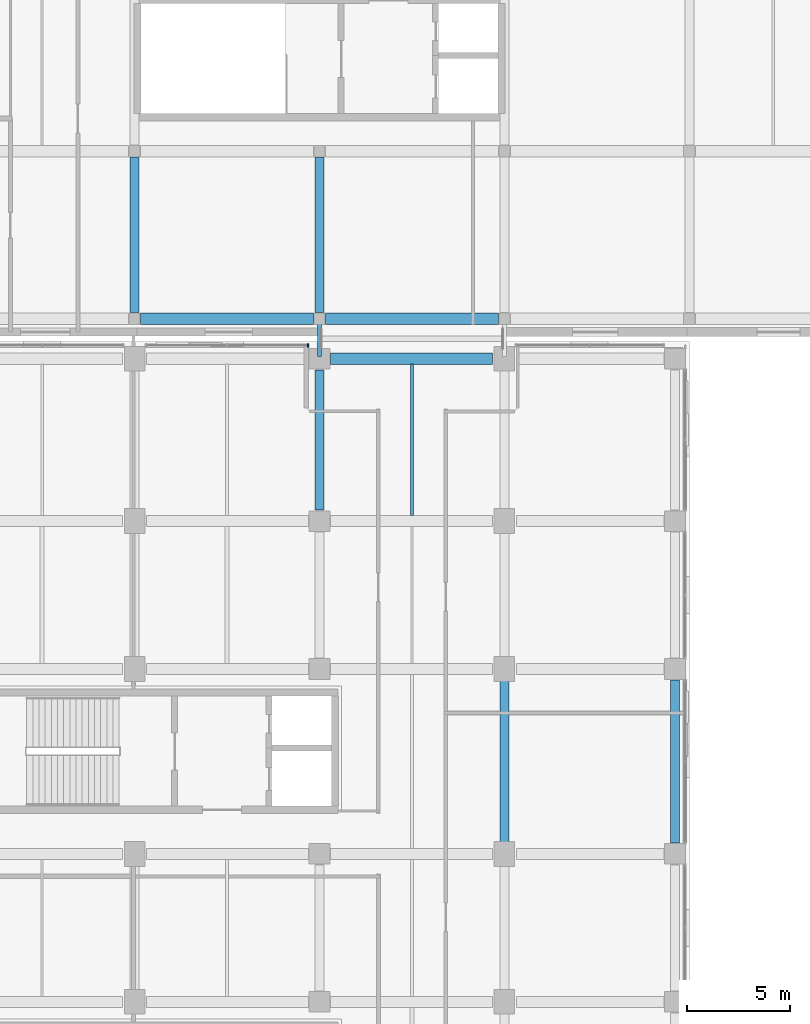
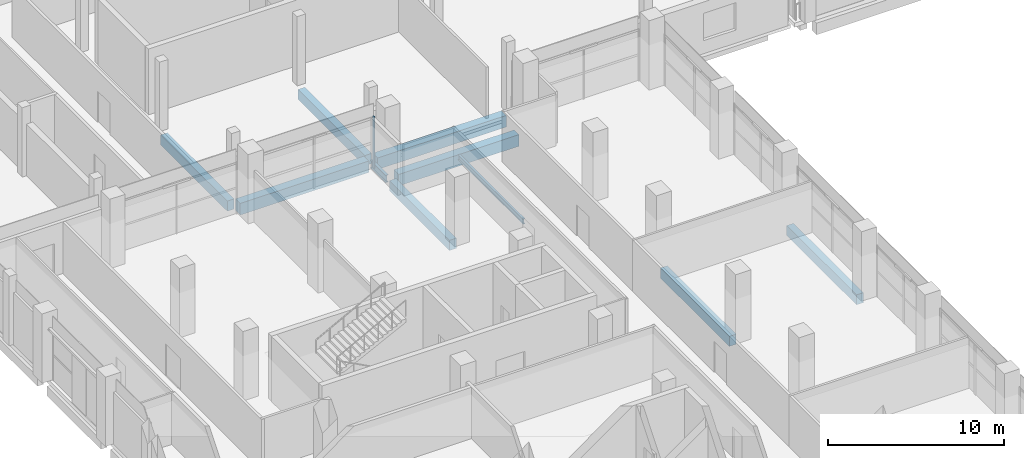
# One storey, part 23 of 111: 10 beams, 1 member, 1 element without a shape of its own.
"""IFC4 building model written with IfcOpenShell, lengths in metres."""

from ifc_helpers import new_model, si_unit, direction, frame, origin, origin_2d, place, context, subcontext, project, spatial, rectangle, i_section, extrude, material, material_profile, profile_set, type_object, element, aggregate, save


model = new_model("IFC4")

# Units and contexts
model_context = context("Model", 3, precision=1e-05, world=origin(), true_north=direction((0.0, 1.0)))
body_context = subcontext(model_context, "Body", "Model", "MODEL_VIEW")
ifc_project = project(units=[si_unit("LENGTHUNIT", "METRE"), si_unit("AREAUNIT", "SQUARE_METRE"), si_unit("VOLUMEUNIT", "CUBIC_METRE"), si_unit("PLANEANGLEUNIT", "RADIAN"), si_unit("MASSUNIT", "GRAM", prefix="KILO"), si_unit("THERMODYNAMICTEMPERATUREUNIT", "KELVIN"), si_unit("POWERUNIT", "WATT")], contexts=[model_context])

# Site, building, storey
site_placement = place(None, origin())
site = spatial("IfcSite", under=ifc_project, at=site_placement, CompositionType="ELEMENT")
building_placement = place(site_placement, origin())
building = spatial("IfcBuilding", under=site, at=building_placement, Name="Sindhuravela Promenade Stadium", CompositionType="ELEMENT")
storey_placement = place(building_placement, frame((0.0, 0.0, 9.60009765625)))
storey = spatial("IfcBuildingStorey", under=building, at=storey_placement, Name="L02", CompositionType="ELEMENT", Elevation=9.60009765625)

# Curtain wall, member
ifc_material_1 = material(Name="Anodised architectural aluminium 6063-T6", Category="aluminium")
curtain_wall_type = type_object("IfcCurtainWallType", Name="CW-MOD-5", PredefinedType="NOTDEFINED", material=ifc_material_1)
curtain_wall_placement = place(storey_placement, origin())
curtain_wall = element("IfcCurtainWall", 1, at=curtain_wall_placement, inside=storey, type_object=curtain_wall_type, Name="Bronze curtain wall CW-WEST-L02-012", PredefinedType="NOTDEFINED")
ifc_material_profile_1 = material_profile(ifc_material_1, rectangle(XDim=0.074951171875, YDim=0.175048828125, at=origin_2d()), Name="ALU MULL 75x175")
ifc_profile_set_1 = profile_set([ifc_material_profile_1], Name="Anodised architectural aluminium 6063-T6")
member_type = type_object("IfcMemberType", Name="CW-MUL-1", PredefinedType="MULLION", material=ifc_profile_set_1)
member_placement = place(storey_placement, frame((26.449951171875, 125.550048828125, 0.0), z_axis=(0.0, 0.0, 1.0), x_axis=(1.0, 0.0, 0.0)))
member = element("IfcMember", 2, at=member_placement, type_object=member_type, Name="Curtain wall mullion CW-WEST-L02-012-M3", PredefinedType="MULLION", context=body_context, shape_type="SweptSolid", body=[
    extrude(rectangle(XDim=0.074951171875, YDim=0.175048828125, at=origin_2d()), origin(), (0.0, 0.0, 1.0), 3.579833984375),
])
aggregate(curtain_wall, [member])

# Beams
ifc_material_2 = material(Name="Concrete M40", Category="concrete")
ifc_material_profile_2 = material_profile(ifc_material_2, rectangle(XDim=0.449951171875, YDim=0.699951171875, at=origin_2d()), Name="RC 450x700")
ifc_profile_set_2 = profile_set([ifc_material_profile_2], Name="Concrete M40")
beam_type_1 = type_object("IfcBeamType", Name="RC-BM-450x700", PredefinedType="BEAM", material=ifc_profile_set_2)
beam_1_placement = place(storey_placement, frame((27.0, 117.5400390625, -0.630126953125), z_axis=(0.0, 1.0, 0.0), x_axis=(-1.0, 0.0, 0.0)))
element("IfcBeam", 3, at=beam_1_placement, inside=storey, type_object=beam_type_1, Name="Primary beam GB07 WEST L02", PredefinedType="BEAM", context=body_context, shape_type="SweptSolid", body=[
    extrude(rectangle(XDim=0.449951171875, YDim=0.699951171875, at=origin_2d()), origin(), (0.0, 0.0, 1.0), 6.820068359375),
])
beam_2_placement = place(storey_placement, frame((36.0, 101.389892578125, -0.630126953125), z_axis=(0.0, 1.0, 0.0), x_axis=(-1.0, 0.0, 0.0)))
element("IfcBeam", 4, at=beam_2_placement, inside=storey, type_object=beam_type_1, Name="Primary beam GB07 WEST L02", PredefinedType="BEAM", context=body_context, shape_type="SweptSolid", body=[
    extrude(rectangle(XDim=0.449951171875, YDim=0.699951171875, at=origin_2d()), origin(), (0.0, 0.0, 1.0), 7.820068359375),
])
beam_3_placement = place(storey_placement, frame((44.300048828125, 101.340087890625, -0.630126953125), z_axis=(0.0, 1.0, 0.0), x_axis=(-1.0, 0.0, 0.0)))
element("IfcBeam", 5, at=beam_3_placement, inside=storey, type_object=beam_type_1, Name="Primary beam GB07 WEST L02", PredefinedType="BEAM", context=body_context, shape_type="SweptSolid", body=[
    extrude(rectangle(XDim=0.449951171875, YDim=0.699951171875, at=origin_2d()), origin(), (0.0, 0.0, 1.0), 7.919921875),
])
for number, where, z_axis, x_axis, name in (
    (6, (18.0, 127.139892578125, -0.585205078125), (0.0, 1.0, 0.0), (-1.0, 0.0, 0.0), "Primary beam GB07 Pavilion NW L02"),
    (7, (27.0, 127.139892578125, -0.585205078125), (0.0, 1.0, 0.0), (-1.0, 0.0, 0.0), "Primary beam GB07 Pavilion NW L02"),
):
    element("IfcBeam", number, at=place(storey_placement, frame(where, z_axis=z_axis, x_axis=x_axis)), inside=storey, type_object=beam_type_1, Name=name, PredefinedType="BEAM", context=body_context, shape_type="SweptSolid", body=[
        extrude(rectangle(XDim=0.449951171875, YDim=0.699951171875, at=origin_2d()), origin(), (0.0, 0.0, 1.0), 7.570068359375),
    ])
ifc_material_profile_3 = material_profile(ifc_material_2, rectangle(XDim=0.550048828125, YDim=0.800048828125, at=origin_2d()), Name="RC 550x800")
ifc_profile_set_3 = profile_set([ifc_material_profile_3], Name="Concrete M40")
beam_type_2 = type_object("IfcBeamType", Name="RC-BM-550x800", PredefinedType="BEAM", material=ifc_profile_set_3)
beam_4_placement = place(storey_placement, frame((27.5400390625, 124.89990234375, -0.68017578125), z_axis=(1.0, 0.0, 0.0), x_axis=(0.0, 1.0, 0.0)))
element("IfcBeam", 8, at=beam_4_placement, inside=storey, type_object=beam_type_2, Name="Primary girder GB05 WEST L02", PredefinedType="BEAM", context=body_context, shape_type="SweptSolid", body=[
    extrude(rectangle(XDim=0.550048828125, YDim=0.800048828125, at=origin_2d()), origin(), (0.0, 0.0, 1.0), 7.869873046875),
])
for number, where, z_axis, x_axis, name in (
    (9, (18.2900390625, 126.85009765625, -0.635009765625), (1.0, 0.0, 0.0), (0.0, 1.0, 0.0), "Primary girder GB05 Pavilion NW L02"),
    (10, (27.2900390625, 126.85009765625, -0.635009765625), (1.0, 0.0, 0.0), (0.0, 1.0, 0.0), "Primary girder GB05 Pavilion NW L02"),
):
    element("IfcBeam", number, at=place(storey_placement, frame(where, z_axis=z_axis, x_axis=x_axis)), inside=storey, type_object=beam_type_2, Name=name, PredefinedType="BEAM", context=body_context, shape_type="SweptSolid", body=[
        extrude(rectangle(XDim=0.550048828125, YDim=0.800048828125, at=origin_2d()), origin(), (0.0, 0.0, 1.0), 8.419921875),
    ])
ifc_material_3 = material(Name="Steel E350 (IS 2062 E350BR)", Category="steel")
ifc_material_profile_4 = material_profile(ifc_material_3, i_section(OverallWidth=0.139892578125, OverallDepth=0.35009765625, WebThickness=0.008056640625, FlangeThickness=0.01416015625, FilletRadius=0.013916015625, at=origin_2d()), Name="ISMB 350")
ifc_profile_set_4 = profile_set([ifc_material_profile_4], Name="Steel E350 (IS 2062 E350BR)")
beam_type_3 = type_object("IfcBeamType", Name="ST-BM-MB350", PredefinedType="JOIST", material=ifc_profile_set_4)
beam_5_placement = place(storey_placement, frame((31.5, 117.264892578125, -0.455078125), z_axis=(0.0, 1.0, 0.0), x_axis=(-1.0, 0.0, 0.0)))
element("IfcBeam", 11, at=beam_5_placement, inside=storey, type_object=beam_type_3, Name="Secondary floor joist SB04 WEST L02", PredefinedType="JOIST", context=body_context, shape_type="SweptSolid", body=[
    extrude(i_section(OverallWidth=0.139892578125, OverallDepth=0.35009765625, WebThickness=0.008056640625, FlangeThickness=0.01416015625, FilletRadius=0.013916015625, at=origin_2d()), origin(), (0.0, 0.0, 1.0), 7.3701171875),
])
ifc_material_profile_5 = material_profile(ifc_material_3, i_section(OverallWidth=0.179931640625, OverallDepth=0.5, WebThickness=0.01025390625, FlangeThickness=0.01708984375, FilletRadius=0.01708984375, at=origin_2d()), Name="ISMB 500")
ifc_profile_set_5 = profile_set([ifc_material_profile_5], Name="Steel E350 (IS 2062 E350BR)")
beam_type_4 = type_object("IfcBeamType", Name="ST-BM-MB500", PredefinedType="BEAM", material=ifc_profile_set_5)
beam_6_placement = place(storey_placement, frame((27.0, 125.0, -0.610107421875), z_axis=(0.0, 1.0, 0.0), x_axis=(-1.0, 0.0, 0.0)))
element("IfcBeam", 12, at=beam_6_placement, inside=storey, type_object=beam_type_4, Name="Concourse link bridge L02 West-NW PTFE sliding girder L", PredefinedType="BEAM", context=body_context, shape_type="SweptSolid", body=[
    extrude(i_section(OverallWidth=0.179931640625, OverallDepth=0.5, WebThickness=0.01025390625, FlangeThickness=0.01708984375, FilletRadius=0.01708984375, at=origin_2d()), origin(), (0.0, 0.0, 1.0), 1.75),
])

save(model, "model.ifc")
